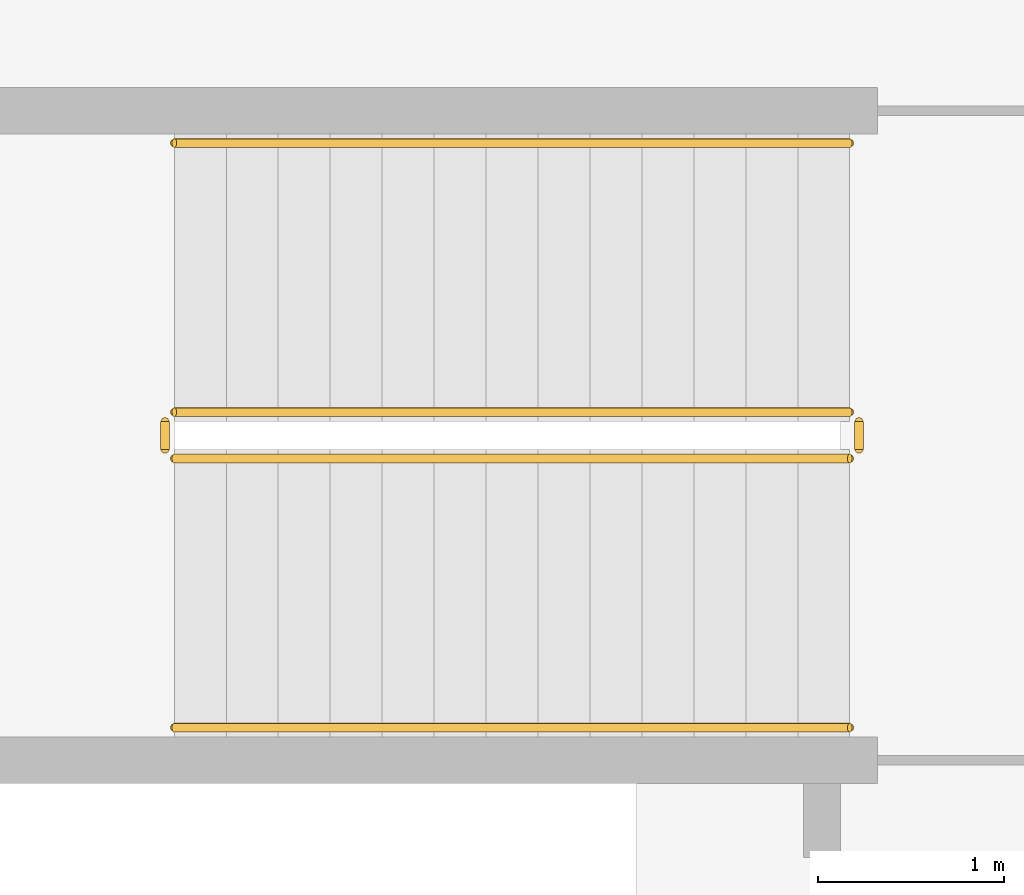
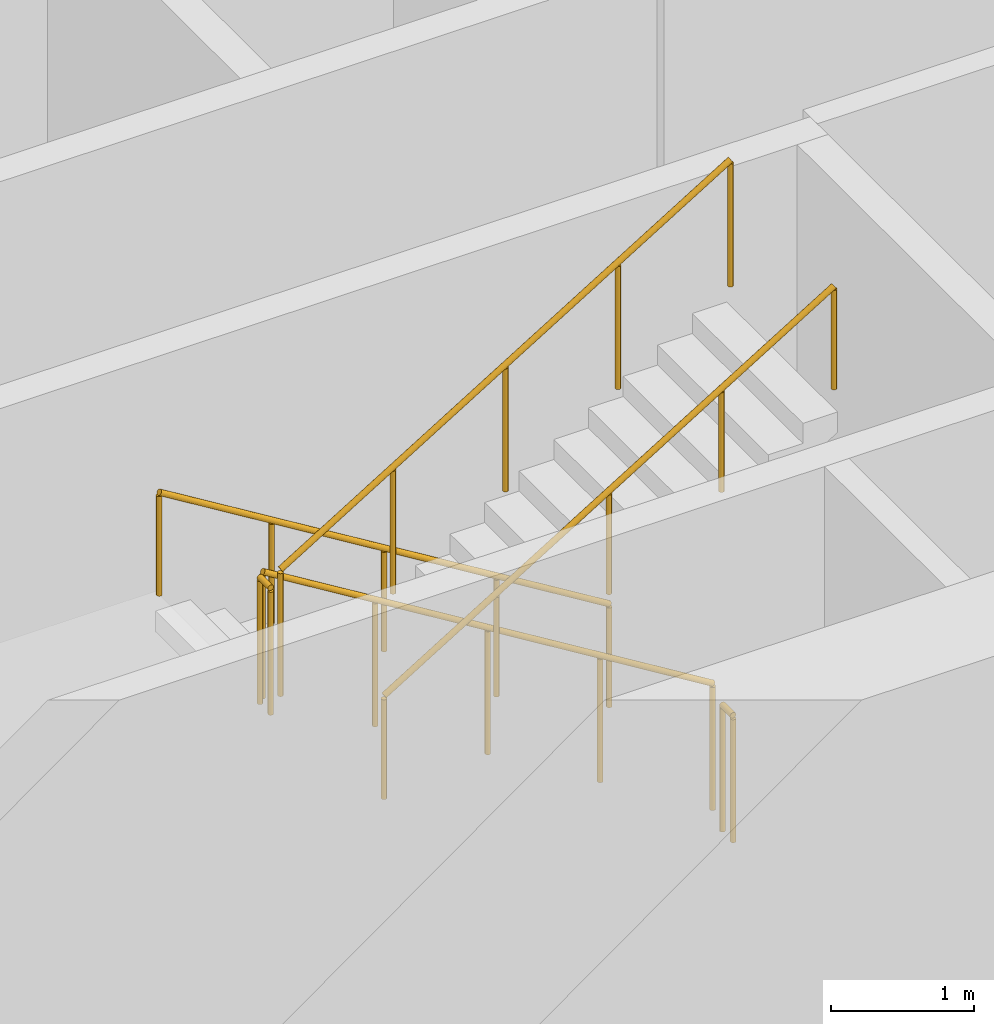
# One storey, part 19 of 26: 6 railings.
"""IFC4 building model written with IfcOpenShell, lengths in metres."""

from ifc_helpers import new_model, si_unit, direction, frame, origin, origin_2d, place, context, subcontext, project, spatial, circle, extrude, material, type_object, element, save


model = new_model("IFC4")

# Units and contexts
model_context = context("Model", 3, precision=1e-05, world=origin(), true_north=direction((0.0, 1.0)))
body_context = subcontext(model_context, "Body", "Model", "MODEL_VIEW")
ifc_project = project(units=[si_unit("LENGTHUNIT", "METRE"), si_unit("AREAUNIT", "SQUARE_METRE"), si_unit("VOLUMEUNIT", "CUBIC_METRE"), si_unit("PLANEANGLEUNIT", "RADIAN"), si_unit("MASSUNIT", "GRAM", prefix="KILO")], contexts=[model_context])

# Site, building, storey
site_placement = place(None, origin())
site = spatial("IfcSite", under=ifc_project, at=site_placement, CompositionType="ELEMENT")
building_placement = place(site_placement, origin())
building = spatial("IfcBuilding", under=site, at=building_placement, Name="Dhurran Vertical Campus", CompositionType="ELEMENT")
storey_placement = place(building_placement, frame((0.0, 0.0, 15.60009765625)))
storey = spatial("IfcBuildingStorey", under=building, at=storey_placement, Name="L03", CompositionType="ELEMENT", Elevation=15.60009765625)

# Railings
ifc_material_1 = material(Name="Stainless steel balustrade", Category="steel")
railing_type_1 = type_object("IfcRailingType", Name="co-RL-GUARD-1100", PredefinedType="GUARDRAIL", material=ifc_material_1)
railing_1_placement = place(storey_placement, frame((11.10009765625, -8.89990234375, 0.17138671875)))
element("IfcRailing", 1, at=railing_1_placement, inside=storey, type_object=railing_type_1, Name="L03 ST4 stair guard 1", PredefinedType="GUARDRAIL", context=body_context, shape_type="SweptSolid", body=[
    extrude(circle(Radius=0.02392578125, at=origin_2d()), frame((0.0, 0.0, 1.076171875), z_axis=(-0.852865859571, 0.0, 0.52213008492), x_axis=(0.0, -1.0, 0.0)), (0.0, 0.0, 1.0), 4.26806640625),
    extrude(circle(Radius=0.02099609375, at=origin_2d()), origin(), (0.0, 0.0, 1.0), 1.052001953125),
    extrude(circle(Radius=0.02099609375, at=origin_2d()), frame((-0.91015625, 0.0, 0.55712890625)), (0.0, 0.0, 1.0), 1.052001953125),
    extrude(circle(Radius=0.02099609375, at=origin_2d()), frame((-1.820068359375, 0.0, 1.1142578125)), (0.0, 0.0, 1.0), 1.052001953125),
    extrude(circle(Radius=0.02099609375, at=origin_2d()), frame((-2.72998046875, 0.0, 1.67138671875)), (0.0, 0.0, 1.0), 1.052001953125),
    extrude(circle(Radius=0.02099609375, at=origin_2d()), frame((-3.64013671875, 0.0, 2.228515625)), (0.0, 0.0, 1.0), 1.052001953125),
])
railing_2_placement = place(storey_placement, frame((7.409912109375, -8.949951171875, 2.39990234375)))
element("IfcRailing", 2, at=railing_2_placement, inside=storey, type_object=railing_type_1, Name="L03 ST4 stair guard 2", PredefinedType="GUARDRAIL", context=body_context, shape_type="SweptSolid", body=[
    extrude(circle(Radius=0.02392578125, at=origin_2d()), frame((0.0, 0.0, 1.076171875), z_axis=(0.0, -1.0, 0.0), x_axis=(1.0, 0.0, 0.0)), (0.0, 0.0, 1.0), 0.150146484375),
    extrude(circle(Radius=0.02099609375, at=origin_2d()), origin(), (0.0, 0.0, 1.0), 1.052001953125),
    extrude(circle(Radius=0.02099609375, at=origin_2d()), frame((0.0, -0.150146484375, 0.0)), (0.0, 0.0, 1.0), 1.052001953125),
])
railing_3_placement = place(storey_placement, frame((7.4599609375, -9.14990234375, 2.5712890625)))
element("IfcRailing", 3, at=railing_3_placement, inside=storey, type_object=railing_type_1, Name="L03 ST4 stair guard 3", PredefinedType="GUARDRAIL", context=body_context, shape_type="SweptSolid", body=[
    extrude(circle(Radius=0.02392578125, at=origin_2d()), frame((0.0, 0.0, 1.076171875), z_axis=(0.852865859571, 0.0, 0.52213008492), x_axis=(0.0, 1.0, 0.0)), (0.0, 0.0, 1.0), 4.26806640625),
    extrude(circle(Radius=0.02099609375, at=origin_2d()), origin(), (0.0, 0.0, 1.0), 1.052001953125),
    extrude(circle(Radius=0.02099609375, at=origin_2d()), frame((0.91015625, 0.0, 0.55712890625)), (0.0, 0.0, 1.0), 1.052001953125),
    extrude(circle(Radius=0.02099609375, at=origin_2d()), frame((1.820068359375, 0.0, 1.1142578125)), (0.0, 0.0, 1.0), 1.052001953125),
    extrude(circle(Radius=0.02099609375, at=origin_2d()), frame((2.72998046875, 0.0, 1.67138671875)), (0.0, 0.0, 1.0), 1.052001953125),
    extrude(circle(Radius=0.02099609375, at=origin_2d()), frame((3.64013671875, 0.0, 2.228515625)), (0.0, 0.0, 1.0), 1.052001953125),
])
railing_4_placement = place(storey_placement, frame((11.14990234375, -8.949951171875, 0.0)))
element("IfcRailing", 4, at=railing_4_placement, inside=storey, type_object=railing_type_1, Name="L03 ST4 stair guard 4", PredefinedType="GUARDRAIL", context=body_context, shape_type="SweptSolid", body=[
    extrude(circle(Radius=0.02392578125, at=origin_2d()), frame((0.0, 0.0, 1.076171875), z_axis=(0.0, -1.0, 0.0), x_axis=(1.0, 0.0, 0.0)), (0.0, 0.0, 1.0), 0.150146484375),
    extrude(circle(Radius=0.02099609375, at=origin_2d()), origin(), (0.0, 0.0, 1.0), 1.052001953125),
    extrude(circle(Radius=0.02099609375, at=origin_2d()), frame((0.0, -0.150146484375, 0.0)), (0.0, 0.0, 1.0), 1.052001953125),
])
ifc_material_2 = material(Name="Stainless steel handrail", Category="steel")
railing_type_2 = type_object("IfcRailingType", Name="co-RL-HANDRAIL-900", PredefinedType="HANDRAIL", material=ifc_material_2)
railing_5_placement = place(storey_placement, frame((11.10009765625, -7.449951171875, 0.17138671875)))
element("IfcRailing", 5, at=railing_5_placement, inside=storey, type_object=railing_type_2, Name="L03 ST4 stair handrail 1", PredefinedType="HANDRAIL", context=body_context, shape_type="SweptSolid", body=[
    extrude(circle(Radius=0.02392578125, at=origin_2d()), frame((0.0, 0.0, 0.8759765625), z_axis=(-0.852865859571, 0.0, 0.52213008492), x_axis=(0.0, -1.0, 0.0)), (0.0, 0.0, 1.0), 4.26806640625),
    extrude(circle(Radius=0.02099609375, at=origin_2d()), origin(), (0.0, 0.0, 1.0), 0.851806640625),
    extrude(circle(Radius=0.02099609375, at=origin_2d()), frame((-0.91015625, 0.0, 0.55712890625)), (0.0, 0.0, 1.0), 0.851806640625),
    extrude(circle(Radius=0.02099609375, at=origin_2d()), frame((-1.820068359375, 0.0, 1.1142578125)), (0.0, 0.0, 1.0), 0.851806640625),
    extrude(circle(Radius=0.02099609375, at=origin_2d()), frame((-2.72998046875, 0.0, 1.67138671875)), (0.0, 0.0, 1.0), 0.851806640625),
    extrude(circle(Radius=0.02099609375, at=origin_2d()), frame((-3.64013671875, 0.0, 2.228515625)), (0.0, 0.0, 1.0), 0.851806640625),
])
railing_6_placement = place(storey_placement, frame((7.4599609375, -10.60009765625, 2.5712890625)))
element("IfcRailing", 6, at=railing_6_placement, inside=storey, type_object=railing_type_2, Name="L03 ST4 stair handrail 2", PredefinedType="HANDRAIL", context=body_context, shape_type="SweptSolid", body=[
    extrude(circle(Radius=0.02392578125, at=origin_2d()), frame((0.0, 0.0, 0.8759765625), z_axis=(0.852865859571, 0.0, 0.52213008492), x_axis=(0.0, 1.0, 0.0)), (0.0, 0.0, 1.0), 4.26806640625),
    extrude(circle(Radius=0.02099609375, at=origin_2d()), origin(), (0.0, 0.0, 1.0), 0.851806640625),
    extrude(circle(Radius=0.02099609375, at=origin_2d()), frame((0.91015625, 0.0, 0.55712890625)), (0.0, 0.0, 1.0), 0.851806640625),
    extrude(circle(Radius=0.02099609375, at=origin_2d()), frame((1.820068359375, 0.0, 1.1142578125)), (0.0, 0.0, 1.0), 0.851806640625),
    extrude(circle(Radius=0.02099609375, at=origin_2d()), frame((2.72998046875, 0.0, 1.67138671875)), (0.0, 0.0, 1.0), 0.851806640625),
    extrude(circle(Radius=0.02099609375, at=origin_2d()), frame((3.64013671875, 0.0, 2.228515625)), (0.0, 0.0, 1.0), 0.851806640625),
])

save(model, "model.ifc")
